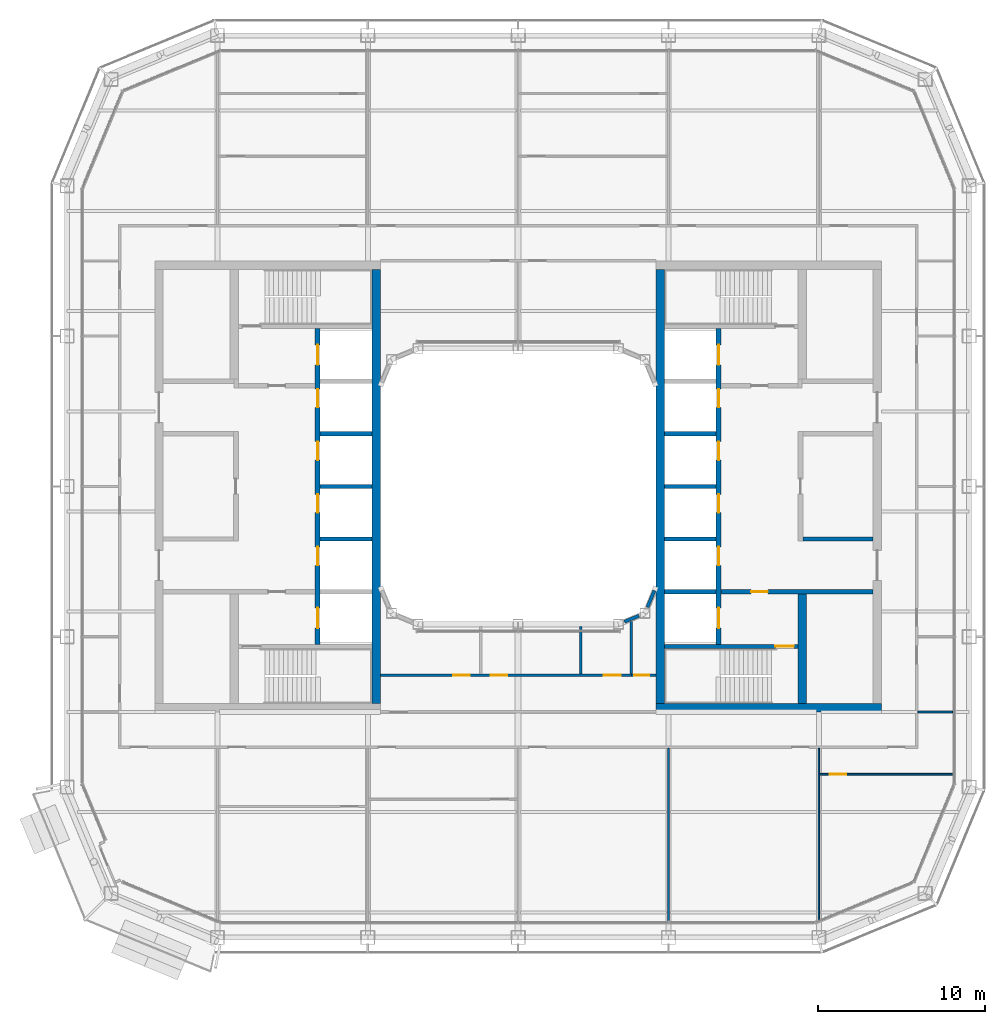
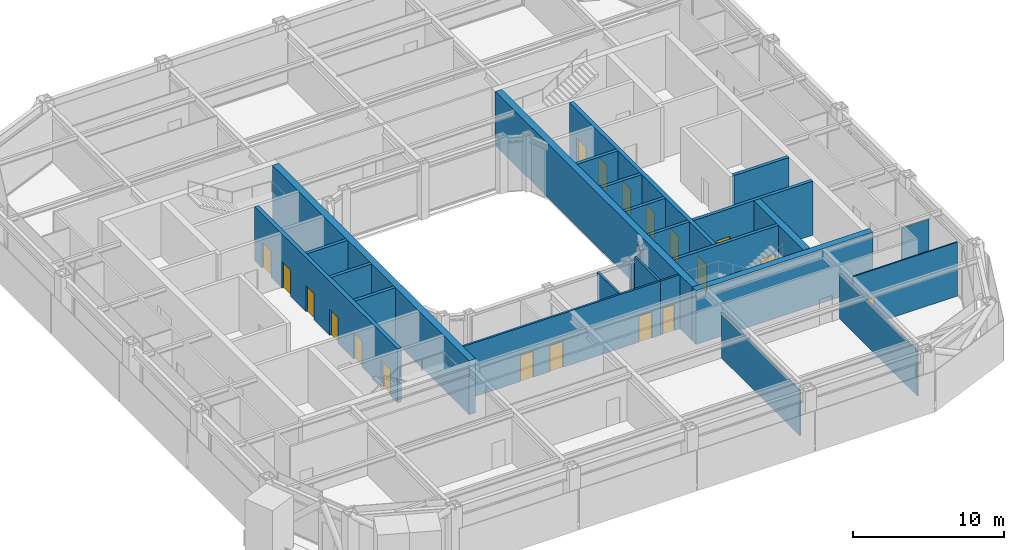
# One storey, part 14 of 23: 26 walls, 19 doors, 19 openings.
"""IFC4 building model written with IfcOpenShell, lengths in metres."""

from ifc_helpers import new_model, si_unit, direction, frame, frame_2d, origin, place, context, subcontext, project, spatial, rectangle, extrude, material, layer, layer_set, type_object, element, fill, save


model = new_model("IFC4")

# Units and contexts
model_context = context("Model", 3, precision=1e-05, world=origin(), true_north=direction((0.0, 1.0)))
body_context = subcontext(model_context, "Body", "Model", "MODEL_VIEW")
ifc_project = project(units=[si_unit("LENGTHUNIT", "METRE"), si_unit("AREAUNIT", "SQUARE_METRE"), si_unit("VOLUMEUNIT", "CUBIC_METRE"), si_unit("PLANEANGLEUNIT", "RADIAN"), si_unit("MASSUNIT", "GRAM", prefix="KILO")], contexts=[model_context])

# Site, building, storey
site_placement = place(None, origin())
site = spatial("IfcSite", under=ifc_project, at=site_placement, CompositionType="ELEMENT")
building_placement = place(site_placement, origin())
building = spatial("IfcBuilding", under=site, at=building_placement, Name="Siwar Civic Tower", CompositionType="ELEMENT")
storey_placement = place(building_placement, frame((0.0, 0.0, 233.199951171875)))
storey = spatial("IfcBuildingStorey", under=building, at=storey_placement, Name="L50", CompositionType="ELEMENT", Elevation=233.199951171875)

# Wall, opening, door
ifc_material_1 = material(Name="Gypsum board on steel studs", Category="steel")
ifc_layer_1 = layer(ifc_material_1, 0.14990234375)
ifc_layer_set_1 = layer_set([ifc_layer_1], Name="Gypsum board on steel studs")
wall_type_1 = type_object("IfcWallType", Name="COMPARTMENT PARTITION 150 EI 60", PredefinedType="PARTITIONING", material=ifc_layer_set_1)
wall_1_placement = place(storey_placement, frame((6.780029296875, -11.300048828125, 0.0), z_axis=(0.0, 0.0, 1.0), x_axis=(1.0, 0.0, 0.0)))
wall_1 = element("IfcWall", 1, at=wall_1_placement, inside=storey, type_object=wall_type_1, Name="L50/wall/P09", PredefinedType="PARTITIONING", context=body_context, shape_type="SweptSolid", body=[
    extrude(rectangle(XDim=1.469970703125, YDim=0.14990234375, at=frame_2d((0.73486328125, 0.0))), origin(), (0.0, 0.0, 1.0), 4.35009765625),
])
opening_1_placement = place(wall_1_placement, frame((0.169921875, 0.0, 0.0)))
opening_1 = element("IfcOpeningElement", 2, at=opening_1_placement, cuts=wall_1, Name="Opening D4", PredefinedType="OPENING", context=body_context, shape_type="SweptSolid", body=[
    extrude(rectangle(XDim=0.89990234375, YDim=2.10009765625, at=frame_2d((0.449951171875, 1.050048828125))), frame((0.0, 0.0849609375, 0.0), z_axis=(0.0, -1.0, 0.0), x_axis=(1.0, 0.0, 0.0)), (0.0, 0.0, 1.0), 0.169921875),
])
ifc_material_2 = material(Name="Timber, painted", Category="wood")
door_type_1 = type_object("IfcDoorType", Name="DOOR 900 X 2100 FD60", OperationType="SINGLE_SWING_LEFT", PredefinedType="DOOR", material=ifc_material_2)
door_1_placement = place(opening_1_placement, origin())
door_1 = element("IfcDoor", 3, at=door_1_placement, inside=storey, type_object=door_type_1, Name="L50-D34", OperationType="SINGLE_SWING_RIGHT", OverallHeight=2.10009765625, OverallWidth=0.89990234375, PredefinedType="DOOR", context=body_context, shape_type="SweptSolid", body=[
    extrude(rectangle(XDim=0.89990234375, YDim=2.10009765625, at=frame_2d((0.449951171875, 1.050048828125))), frame((0.0, 0.02490234375, 0.0), z_axis=(0.0, -1.0, 0.0), x_axis=(1.0, 0.0, 0.0)), (0.0, 0.0, 1.0), 0.050048828125),
])
fill(opening_1, door_1)

# Walls
wall_2_placement = place(storey_placement, frame((6.780029296875, -11.22509765625, 0.0), z_axis=(0.0, 0.0, 1.0), x_axis=(0.0, 1.0, 0.0)))
element("IfcWall", 4, at=wall_2_placement, inside=storey, type_object=wall_type_1, Name="L50/wall/P34", PredefinedType="PARTITIONING", context=body_context, shape_type="SweptSolid", body=[
    extrude(rectangle(XDim=3.13818359375, YDim=0.14990234375, at=frame_2d((1.569091796875, 0.0))), origin(), (0.0, 0.0, 1.0), 4.35009765625),
])
ifc_material_3 = material(Name="Concrete C60/75", Category="concrete")
ifc_layer_2 = layer(ifc_material_3, 0.25)
ifc_layer_set_2 = layer_set([ifc_layer_2], Name="Concrete C60/75")
wall_type_2 = type_object("IfcWallType", Name="CORE-WALL-RC250", PredefinedType="SHEAR", material=ifc_layer_set_2)
for number, where, z_axis, x_axis, name in (
    (5, (-8.75, 0.0, 0.0), (0.0, 0.0, 1.0), (-1.0, 0.0, 0.0), "Core wall W"),
    (6, (-8.75, 3.14990234375, 0.0), (0.0, 0.0, 1.0), (-1.0, 0.0, 0.0), "Core wall W"),
    (7, (-8.75, -3.14990234375, 0.0), (0.0, 0.0, 1.0), (-1.0, 0.0, 0.0), "Core wall W"),
):
    element("IfcWall", number, at=place(storey_placement, frame(where, z_axis=z_axis, x_axis=x_axis)), inside=storey, type_object=wall_type_2, Name=name, PredefinedType="SHEAR", context=body_context, shape_type="SweptSolid", body=[
        extrude(rectangle(XDim=3.10009765625, YDim=0.25, at=frame_2d((1.550048828125, 0.0))), origin(), (0.0, 0.0, 1.0), 4.35009765625),
    ])

# Wall, opening, door
wall_3_placement = place(storey_placement, frame((12.14990234375, -6.300048828125, 0.0), z_axis=(0.0, 0.0, 1.0), x_axis=(1.0, 0.0, 0.0)))
wall_3 = element("IfcWall", 8, at=wall_3_placement, inside=storey, type_object=wall_type_2, Name="Core wall E", PredefinedType="SHEAR", context=body_context, shape_type="SweptSolid", body=[
    extrude(rectangle(XDim=9.10009765625, YDim=0.25, at=frame_2d((4.550048828125, 0.0))), origin(), (0.0, 0.0, 1.0), 4.35009765625),
])
opening_2_placement = place(wall_3_placement, frame((1.800048828125, 0.0, 0.0)))
opening_2 = element("IfcOpeningElement", 9, at=opening_2_placement, cuts=wall_3, Name="Opening L50-CE02", PredefinedType="OPENING", context=body_context, shape_type="SweptSolid", body=[
    extrude(rectangle(XDim=1.0, YDim=2.10009765625, at=frame_2d((0.5, 1.050048828125))), frame((0.0, 0.135009765625, 0.0), z_axis=(0.0, -1.0, 0.0), x_axis=(1.0, 0.0, 0.0)), (0.0, 0.0, 1.0), 0.27001953125),
])
ifc_material_4 = material(Name="Steel door leaf", Category="steel")
door_type_2 = type_object("IfcDoorType", Name="CORE-DOOR-FD30S", OperationType="SINGLE_SWING_LEFT", PredefinedType="DOOR", material=ifc_material_4)
door_2_placement = place(opening_2_placement, origin())
door_2 = element("IfcDoor", 10, at=door_2_placement, inside=storey, type_object=door_type_2, Name="Service lobby door L50-CE02", OperationType="SINGLE_SWING_LEFT", OverallHeight=2.10009765625, OverallWidth=1.0, PredefinedType="DOOR", context=body_context, shape_type="SweptSolid", body=[
    extrude(rectangle(XDim=1.0, YDim=2.10009765625, at=frame_2d((0.5, 1.050048828125))), frame((0.0, 0.02490234375, 0.0), z_axis=(0.0, -1.0, 0.0), x_axis=(1.0, 0.0, 0.0)), (0.0, 0.0, 1.0), 0.050048828125),
])
fill(opening_2, door_2)

# Walls
wall_4_placement = place(storey_placement, frame((17.050048828125, -3.14990234375, 0.0), z_axis=(0.0, 0.0, 1.0), x_axis=(1.0, 0.0, 0.0)))
element("IfcWall", 11, at=wall_4_placement, inside=storey, type_object=wall_type_2, Name="Core wall E", PredefinedType="SHEAR", context=body_context, shape_type="SweptSolid", body=[
    extrude(rectangle(XDim=4.199951171875, YDim=0.25, at=frame_2d((2.10009765625, 0.0))), origin(), (0.0, 0.0, 1.0), 4.35009765625),
])
for number, where, z_axis, x_axis, name in (
    (12, (8.75, 0.0, 0.0), (0.0, 0.0, 1.0), (1.0, 0.0, 0.0), "Core wall E"),
    (13, (8.75, 3.14990234375, 0.0), (0.0, 0.0, 1.0), (1.0, 0.0, 0.0), "Core wall E"),
    (14, (8.75, -3.14990234375, 0.0), (0.0, 0.0, 1.0), (1.0, 0.0, 0.0), "Core wall E"),
    (15, (8.75, -6.300048828125, 0.0), (0.0, 0.0, 1.0), (1.0, 0.0, 0.0), "Core wall E"),
):
    element("IfcWall", number, at=place(storey_placement, frame(where, z_axis=z_axis, x_axis=x_axis)), inside=storey, type_object=wall_type_2, Name=name, PredefinedType="SHEAR", context=body_context, shape_type="SweptSolid", body=[
        extrude(rectangle(XDim=3.10009765625, YDim=0.25, at=frame_2d((1.550048828125, 0.0))), origin(), (0.0, 0.0, 1.0), 4.35009765625),
    ])

# Wall, opening, door
wall_5_placement = place(storey_placement, frame((8.75, -9.574951171875, 0.0), z_axis=(0.0, 0.0, 1.0), x_axis=(1.0, 0.0, 0.0)))
wall_5 = element("IfcWall", 16, at=wall_5_placement, inside=storey, type_object=wall_type_2, Name="Core wall E", PredefinedType="SHEAR", context=body_context, shape_type="SweptSolid", body=[
    extrude(rectangle(XDim=8.0, YDim=0.25, at=frame_2d((4.0, 0.0))), origin(), (0.0, 0.0, 1.0), 4.35009765625),
])
opening_3_placement = place(wall_5_placement, frame((6.64990234375, 0.0, 0.0)))
opening_3 = element("IfcOpeningElement", 17, at=opening_3_placement, cuts=wall_5, Name="Opening L50-CE04", PredefinedType="OPENING", context=body_context, shape_type="SweptSolid", body=[
    extrude(rectangle(XDim=1.10009765625, YDim=2.10009765625, at=frame_2d((0.550048828125, 1.050048828125))), frame((0.0, 0.135009765625, 0.0), z_axis=(0.0, -1.0, 0.0), x_axis=(1.0, 0.0, 0.0)), (0.0, 0.0, 1.0), 0.27001953125),
])
ifc_material_5 = material(Name="Steel door leaf", Category="steel")
door_type_3 = type_object("IfcDoorType", Name="CORE-DOOR-FD60S", OperationType="SINGLE_SWING_LEFT", PredefinedType="DOOR", material=ifc_material_5)
door_3_placement = place(opening_3_placement, origin())
door_3 = element("IfcDoor", 18, at=door_3_placement, inside=storey, type_object=door_type_3, Name="Stair door L50-CE04", OperationType="SINGLE_SWING_RIGHT", OverallHeight=2.10009765625, OverallWidth=1.10009765625, PredefinedType="DOOR", context=body_context, shape_type="SweptSolid", body=[
    extrude(rectangle(XDim=1.10009765625, YDim=2.10009765625, at=frame_2d((0.550048828125, 1.050048828125))), frame((0.0, 0.02490234375, 0.0), z_axis=(0.0, -1.0, 0.0), x_axis=(1.0, 0.0, 0.0)), (0.0, 0.0, 1.0), 0.050048828125),
])
fill(opening_3, door_3)

# Wall, openings, doors
ifc_material_6 = material(Name="Concrete C60/75", Category="concrete")
ifc_layer_3 = layer(ifc_material_6, 0.300048828125)
ifc_layer_set_3 = layer_set([ifc_layer_3], Name="Concrete C60/75")
wall_type_3 = type_object("IfcWallType", Name="CORE-WALL-RC300", PredefinedType="SHEAR", material=ifc_layer_set_3)
wall_6_placement = place(storey_placement, frame((-12.0, -9.449951171875, 0.0), z_axis=(0.0, 0.0, 1.0), x_axis=(0.0, 1.0, 0.0)))
wall_6 = element("IfcWall", 19, at=wall_6_placement, inside=storey, type_object=wall_type_3, Name="Core wall W", PredefinedType="SHEAR", context=body_context, shape_type="SweptSolid", body=[
    extrude(rectangle(XDim=18.89990234375, YDim=0.300048828125, at=frame_2d((9.449951171875, 0.0))), origin(), (0.0, 0.0, 1.0), 4.35009765625),
])
opening_4_placement = place(wall_6_placement, frame((4.72509765625, 0.0, 0.0)))
opening_4 = element("IfcOpeningElement", 20, at=opening_4_placement, cuts=wall_6, Name="Opening L50-CW07", PredefinedType="OPENING", context=body_context, shape_type="SweptSolid", body=[
    extrude(rectangle(XDim=1.10009765625, YDim=2.10009765625, at=frame_2d((0.550048828125, 1.050048828125))), frame((0.0, 0.16015625, 0.0), z_axis=(0.0, -1.0, 0.0), x_axis=(1.0, 0.0, 0.0)), (0.0, 0.0, 1.0), 0.320068359375),
])
opening_5_placement = place(wall_6_placement, frame((7.875, 0.0, 0.0)))
opening_5 = element("IfcOpeningElement", 21, at=opening_5_placement, cuts=wall_6, Name="Opening L50-CW08", PredefinedType="OPENING", context=body_context, shape_type="SweptSolid", body=[
    extrude(rectangle(XDim=1.10009765625, YDim=2.10009765625, at=frame_2d((0.550048828125, 1.050048828125))), frame((0.0, 0.16015625, 0.0), z_axis=(0.0, -1.0, 0.0), x_axis=(1.0, 0.0, 0.0)), (0.0, 0.0, 1.0), 0.320068359375),
])
opening_6_placement = place(wall_6_placement, frame((11.02490234375, 0.0, 0.0)))
opening_6 = element("IfcOpeningElement", 22, at=opening_6_placement, cuts=wall_6, Name="Opening L50-CW09", PredefinedType="OPENING", context=body_context, shape_type="SweptSolid", body=[
    extrude(rectangle(XDim=1.10009765625, YDim=2.10009765625, at=frame_2d((0.550048828125, 1.050048828125))), frame((0.0, 0.16015625, 0.0), z_axis=(0.0, -1.0, 0.0), x_axis=(1.0, 0.0, 0.0)), (0.0, 0.0, 1.0), 0.320068359375),
])
opening_7_placement = place(wall_6_placement, frame((14.175048828125, 0.0, 0.0)))
opening_7 = element("IfcOpeningElement", 23, at=opening_7_placement, cuts=wall_6, Name="Opening L50-CW10", PredefinedType="OPENING", context=body_context, shape_type="SweptSolid", body=[
    extrude(rectangle(XDim=1.10009765625, YDim=2.10009765625, at=frame_2d((0.550048828125, 1.050048828125))), frame((0.0, 0.16015625, 0.0), z_axis=(0.0, -1.0, 0.0), x_axis=(1.0, 0.0, 0.0)), (0.0, 0.0, 1.0), 0.320068359375),
])
opening_8_placement = place(wall_6_placement, frame((16.72509765625, 0.0, 0.0)))
opening_8 = element("IfcOpeningElement", 24, at=opening_8_placement, cuts=wall_6, Name="Opening L50-CW11", PredefinedType="OPENING", context=body_context, shape_type="SweptSolid", body=[
    extrude(rectangle(XDim=1.199951171875, YDim=2.10009765625, at=frame_2d((0.60009765625, 1.050048828125))), frame((0.0, 0.16015625, 0.0), z_axis=(0.0, -1.0, 0.0), x_axis=(1.0, 0.0, 0.0)), (0.0, 0.0, 1.0), 0.320068359375),
])
opening_9_placement = place(wall_6_placement, frame((0.97509765625, 0.0, 0.0)))
opening_9 = element("IfcOpeningElement", 25, at=opening_9_placement, cuts=wall_6, Name="Opening L50-CW12", PredefinedType="OPENING", context=body_context, shape_type="SweptSolid", body=[
    extrude(rectangle(XDim=1.199951171875, YDim=2.10009765625, at=frame_2d((0.60009765625, 1.050048828125))), frame((0.0, 0.16015625, 0.0), z_axis=(0.0, -1.0, 0.0), x_axis=(1.0, 0.0, 0.0)), (0.0, 0.0, 1.0), 0.320068359375),
])
ifc_material_7 = material(Name="Steel door leaf", Category="steel")
door_type_4 = type_object("IfcDoorType", Name="CORE-DOOR-LD", OperationType="DOUBLE_DOOR_SLIDING", PredefinedType="DOOR", material=ifc_material_7)
door_4_placement = place(opening_4_placement, origin())
door_4 = element("IfcDoor", 26, at=door_4_placement, inside=storey, type_object=door_type_4, Name="Landing door HR1 L50-CW07", OperationType="DOUBLE_DOOR_SLIDING", OverallHeight=2.10009765625, OverallWidth=1.10009765625, PredefinedType="DOOR", context=body_context, shape_type="SweptSolid", body=[
    extrude(rectangle(XDim=1.10009765625, YDim=2.10009765625, at=frame_2d((0.550048828125, 1.050048828125))), frame((0.0, 0.02490234375, 0.0), z_axis=(0.0, -1.0, 0.0), x_axis=(1.0, 0.0, 0.0)), (0.0, 0.0, 1.0), 0.050048828125),
])
fill(opening_4, door_4)
door_5_placement = place(opening_5_placement, origin())
door_5 = element("IfcDoor", 27, at=door_5_placement, inside=storey, type_object=door_type_4, Name="Landing door HR2 L50-CW08", OperationType="DOUBLE_DOOR_SLIDING", OverallHeight=2.10009765625, OverallWidth=1.10009765625, PredefinedType="DOOR", context=body_context, shape_type="SweptSolid", body=[
    extrude(rectangle(XDim=1.10009765625, YDim=2.10009765625, at=frame_2d((0.550048828125, 1.050048828125))), frame((0.0, 0.02490234375, 0.0), z_axis=(0.0, -1.0, 0.0), x_axis=(1.0, 0.0, 0.0)), (0.0, 0.0, 1.0), 0.050048828125),
])
fill(opening_5, door_5)
door_6_placement = place(opening_6_placement, origin())
door_6 = element("IfcDoor", 28, at=door_6_placement, inside=storey, type_object=door_type_4, Name="Landing door HR3 L50-CW09", OperationType="DOUBLE_DOOR_SLIDING", OverallHeight=2.10009765625, OverallWidth=1.10009765625, PredefinedType="DOOR", context=body_context, shape_type="SweptSolid", body=[
    extrude(rectangle(XDim=1.10009765625, YDim=2.10009765625, at=frame_2d((0.550048828125, 1.050048828125))), frame((0.0, 0.02490234375, 0.0), z_axis=(0.0, -1.0, 0.0), x_axis=(1.0, 0.0, 0.0)), (0.0, 0.0, 1.0), 0.050048828125),
])
fill(opening_6, door_6)
door_7_placement = place(opening_7_placement, origin())
door_7 = element("IfcDoor", 29, at=door_7_placement, inside=storey, type_object=door_type_4, Name="Landing door HR4 L50-CW10", OperationType="DOUBLE_DOOR_SLIDING", OverallHeight=2.10009765625, OverallWidth=1.10009765625, PredefinedType="DOOR", context=body_context, shape_type="SweptSolid", body=[
    extrude(rectangle(XDim=1.10009765625, YDim=2.10009765625, at=frame_2d((0.550048828125, 1.050048828125))), frame((0.0, 0.02490234375, 0.0), z_axis=(0.0, -1.0, 0.0), x_axis=(1.0, 0.0, 0.0)), (0.0, 0.0, 1.0), 0.050048828125),
])
fill(opening_7, door_7)
ifc_material_8 = material(Name="Steel door leaf", Category="steel")
door_type_5 = type_object("IfcDoorType", Name="CORE-DOOR-LDW", OperationType="DOUBLE_DOOR_SLIDING", PredefinedType="DOOR", material=ifc_material_8)
door_8_placement = place(opening_8_placement, origin())
door_8 = element("IfcDoor", 30, at=door_8_placement, inside=storey, type_object=door_type_5, Name="Landing door FF1 L50-CW11", OperationType="DOUBLE_DOOR_SLIDING", OverallHeight=2.10009765625, OverallWidth=1.199951171875, PredefinedType="DOOR", context=body_context, shape_type="SweptSolid", body=[
    extrude(rectangle(XDim=1.199951171875, YDim=2.10009765625, at=frame_2d((0.60009765625, 1.050048828125))), frame((0.0, 0.02490234375, 0.0), z_axis=(0.0, -1.0, 0.0), x_axis=(1.0, 0.0, 0.0)), (0.0, 0.0, 1.0), 0.050048828125),
])
fill(opening_8, door_8)
door_9_placement = place(opening_9_placement, origin())
door_9 = element("IfcDoor", 31, at=door_9_placement, inside=storey, type_object=door_type_5, Name="Landing door SV1 L50-CW12", OperationType="DOUBLE_DOOR_SLIDING", OverallHeight=2.10009765625, OverallWidth=1.199951171875, PredefinedType="DOOR", context=body_context, shape_type="SweptSolid", body=[
    extrude(rectangle(XDim=1.199951171875, YDim=2.10009765625, at=frame_2d((0.60009765625, 1.050048828125))), frame((0.0, 0.02490234375, 0.0), z_axis=(0.0, -1.0, 0.0), x_axis=(1.0, 0.0, 0.0)), (0.0, 0.0, 1.0), 0.050048828125),
])
fill(opening_9, door_9)

wall_7_placement = place(storey_placement, frame((12.0, -9.449951171875, 0.0), z_axis=(0.0, 0.0, 1.0), x_axis=(0.0, 1.0, 0.0)))
wall_7 = element("IfcWall", 32, at=wall_7_placement, inside=storey, type_object=wall_type_3, Name="Core wall E", PredefinedType="SHEAR", context=body_context, shape_type="SweptSolid", body=[
    extrude(rectangle(XDim=18.89990234375, YDim=0.300048828125, at=frame_2d((9.449951171875, 0.0))), origin(), (0.0, 0.0, 1.0), 4.35009765625),
])
opening_10_placement = place(wall_7_placement, frame((4.72509765625, 0.0, 0.0)))
opening_10 = element("IfcOpeningElement", 33, at=opening_10_placement, cuts=wall_7, Name="Opening L50-CE07", PredefinedType="OPENING", context=body_context, shape_type="SweptSolid", body=[
    extrude(rectangle(XDim=1.10009765625, YDim=2.10009765625, at=frame_2d((0.550048828125, 1.050048828125))), frame((0.0, 0.16015625, 0.0), z_axis=(0.0, -1.0, 0.0), x_axis=(1.0, 0.0, 0.0)), (0.0, 0.0, 1.0), 0.320068359375),
])
opening_11_placement = place(wall_7_placement, frame((7.875, 0.0, 0.0)))
opening_11 = element("IfcOpeningElement", 34, at=opening_11_placement, cuts=wall_7, Name="Opening L50-CE08", PredefinedType="OPENING", context=body_context, shape_type="SweptSolid", body=[
    extrude(rectangle(XDim=1.10009765625, YDim=2.10009765625, at=frame_2d((0.550048828125, 1.050048828125))), frame((0.0, 0.16015625, 0.0), z_axis=(0.0, -1.0, 0.0), x_axis=(1.0, 0.0, 0.0)), (0.0, 0.0, 1.0), 0.320068359375),
])
opening_12_placement = place(wall_7_placement, frame((11.02490234375, 0.0, 0.0)))
opening_12 = element("IfcOpeningElement", 35, at=opening_12_placement, cuts=wall_7, Name="Opening L50-CE09", PredefinedType="OPENING", context=body_context, shape_type="SweptSolid", body=[
    extrude(rectangle(XDim=1.10009765625, YDim=2.10009765625, at=frame_2d((0.550048828125, 1.050048828125))), frame((0.0, 0.16015625, 0.0), z_axis=(0.0, -1.0, 0.0), x_axis=(1.0, 0.0, 0.0)), (0.0, 0.0, 1.0), 0.320068359375),
])
opening_13_placement = place(wall_7_placement, frame((14.175048828125, 0.0, 0.0)))
opening_13 = element("IfcOpeningElement", 36, at=opening_13_placement, cuts=wall_7, Name="Opening L50-CE10", PredefinedType="OPENING", context=body_context, shape_type="SweptSolid", body=[
    extrude(rectangle(XDim=1.10009765625, YDim=2.10009765625, at=frame_2d((0.550048828125, 1.050048828125))), frame((0.0, 0.16015625, 0.0), z_axis=(0.0, -1.0, 0.0), x_axis=(1.0, 0.0, 0.0)), (0.0, 0.0, 1.0), 0.320068359375),
])
opening_14_placement = place(wall_7_placement, frame((16.72509765625, 0.0, 0.0)))
opening_14 = element("IfcOpeningElement", 37, at=opening_14_placement, cuts=wall_7, Name="Opening L50-CE11", PredefinedType="OPENING", context=body_context, shape_type="SweptSolid", body=[
    extrude(rectangle(XDim=1.199951171875, YDim=2.10009765625, at=frame_2d((0.60009765625, 1.050048828125))), frame((0.0, 0.16015625, 0.0), z_axis=(0.0, -1.0, 0.0), x_axis=(1.0, 0.0, 0.0)), (0.0, 0.0, 1.0), 0.320068359375),
])
opening_15_placement = place(wall_7_placement, frame((0.97509765625, 0.0, 0.0)))
opening_15 = element("IfcOpeningElement", 38, at=opening_15_placement, cuts=wall_7, Name="Opening L50-CE12", PredefinedType="OPENING", context=body_context, shape_type="SweptSolid", body=[
    extrude(rectangle(XDim=1.199951171875, YDim=2.10009765625, at=frame_2d((0.60009765625, 1.050048828125))), frame((0.0, 0.16015625, 0.0), z_axis=(0.0, -1.0, 0.0), x_axis=(1.0, 0.0, 0.0)), (0.0, 0.0, 1.0), 0.320068359375),
])
door_10_placement = place(opening_10_placement, origin())
door_10 = element("IfcDoor", 39, at=door_10_placement, inside=storey, type_object=door_type_4, Name="Landing door HR5 L50-CE07", OperationType="DOUBLE_DOOR_SLIDING", OverallHeight=2.10009765625, OverallWidth=1.10009765625, PredefinedType="DOOR", context=body_context, shape_type="SweptSolid", body=[
    extrude(rectangle(XDim=1.10009765625, YDim=2.10009765625, at=frame_2d((0.550048828125, 1.050048828125))), frame((0.0, 0.02490234375, 0.0), z_axis=(0.0, -1.0, 0.0), x_axis=(1.0, 0.0, 0.0)), (0.0, 0.0, 1.0), 0.050048828125),
])
fill(opening_10, door_10)
door_11_placement = place(opening_11_placement, origin())
door_11 = element("IfcDoor", 40, at=door_11_placement, inside=storey, type_object=door_type_4, Name="Landing door HR6 L50-CE08", OperationType="DOUBLE_DOOR_SLIDING", OverallHeight=2.10009765625, OverallWidth=1.10009765625, PredefinedType="DOOR", context=body_context, shape_type="SweptSolid", body=[
    extrude(rectangle(XDim=1.10009765625, YDim=2.10009765625, at=frame_2d((0.550048828125, 1.050048828125))), frame((0.0, 0.02490234375, 0.0), z_axis=(0.0, -1.0, 0.0), x_axis=(1.0, 0.0, 0.0)), (0.0, 0.0, 1.0), 0.050048828125),
])
fill(opening_11, door_11)
door_12_placement = place(opening_12_placement, origin())
door_12 = element("IfcDoor", 41, at=door_12_placement, inside=storey, type_object=door_type_4, Name="Landing door HR7 L50-CE09", OperationType="DOUBLE_DOOR_SLIDING", OverallHeight=2.10009765625, OverallWidth=1.10009765625, PredefinedType="DOOR", context=body_context, shape_type="SweptSolid", body=[
    extrude(rectangle(XDim=1.10009765625, YDim=2.10009765625, at=frame_2d((0.550048828125, 1.050048828125))), frame((0.0, 0.02490234375, 0.0), z_axis=(0.0, -1.0, 0.0), x_axis=(1.0, 0.0, 0.0)), (0.0, 0.0, 1.0), 0.050048828125),
])
fill(opening_12, door_12)
door_13_placement = place(opening_13_placement, origin())
door_13 = element("IfcDoor", 42, at=door_13_placement, inside=storey, type_object=door_type_4, Name="Landing door HR8 L50-CE10", OperationType="DOUBLE_DOOR_SLIDING", OverallHeight=2.10009765625, OverallWidth=1.10009765625, PredefinedType="DOOR", context=body_context, shape_type="SweptSolid", body=[
    extrude(rectangle(XDim=1.10009765625, YDim=2.10009765625, at=frame_2d((0.550048828125, 1.050048828125))), frame((0.0, 0.02490234375, 0.0), z_axis=(0.0, -1.0, 0.0), x_axis=(1.0, 0.0, 0.0)), (0.0, 0.0, 1.0), 0.050048828125),
])
fill(opening_13, door_13)
door_14_placement = place(opening_14_placement, origin())
door_14 = element("IfcDoor", 43, at=door_14_placement, inside=storey, type_object=door_type_5, Name="Landing door FF2 L50-CE11", OperationType="DOUBLE_DOOR_SLIDING", OverallHeight=2.10009765625, OverallWidth=1.199951171875, PredefinedType="DOOR", context=body_context, shape_type="SweptSolid", body=[
    extrude(rectangle(XDim=1.199951171875, YDim=2.10009765625, at=frame_2d((0.60009765625, 1.050048828125))), frame((0.0, 0.02490234375, 0.0), z_axis=(0.0, -1.0, 0.0), x_axis=(1.0, 0.0, 0.0)), (0.0, 0.0, 1.0), 0.050048828125),
])
fill(opening_14, door_14)
door_15_placement = place(opening_15_placement, origin())
door_15 = element("IfcDoor", 44, at=door_15_placement, inside=storey, type_object=door_type_5, Name="Landing door SV2 L50-CE12", OperationType="DOUBLE_DOOR_SLIDING", OverallHeight=2.10009765625, OverallWidth=1.199951171875, PredefinedType="DOOR", context=body_context, shape_type="SweptSolid", body=[
    extrude(rectangle(XDim=1.199951171875, YDim=2.10009765625, at=frame_2d((0.60009765625, 1.050048828125))), frame((0.0, 0.02490234375, 0.0), z_axis=(0.0, -1.0, 0.0), x_axis=(1.0, 0.0, 0.0)), (0.0, 0.0, 1.0), 0.050048828125),
])
fill(opening_15, door_15)

# Walls
ifc_material_9 = material(Name="Concrete C60/75", Category="concrete")
ifc_layer_4 = layer(ifc_material_9, 0.5)
ifc_layer_set_4 = layer_set([ifc_layer_4], Name="Concrete C60/75")
wall_type_4 = type_object("IfcWallType", Name="CORE-WALL-RC500", PredefinedType="SHEAR", material=ifc_layer_set_4)
wall_8_placement = place(storey_placement, frame((17.0, -13.0, 0.0), z_axis=(0.0, 0.0, 1.0), x_axis=(0.0, 1.0, 0.0)))
element("IfcWall", 45, at=wall_8_placement, inside=storey, type_object=wall_type_4, Name="Core wall E", PredefinedType="SHEAR", context=body_context, shape_type="SweptSolid", body=[
    extrude(rectangle(XDim=6.574951171875, YDim=0.5, at=frame_2d((3.28759765625, 0.0))), origin(), (0.0, 0.0, 1.0), 4.35009765625),
])
wall_9_placement = place(storey_placement, frame((8.25, -13.25, 0.0), z_axis=(0.0, 0.0, 1.0), x_axis=(1.0, 0.0, 0.0)))
element("IfcWall", 46, at=wall_9_placement, inside=storey, type_object=wall_type_4, Name="Core wall E", PredefinedType="SHEAR", context=body_context, shape_type="SweptSolid", body=[
    extrude(rectangle(XDim=13.5, YDim=0.5, at=frame_2d((6.75, 0.0))), origin(), (0.0, 0.0, 1.0), 4.35009765625),
])
ifc_material_10 = material(Name="Concrete C60/75", Category="concrete")
ifc_layer_5 = layer(ifc_material_10, 0.5)
ifc_layer_set_5 = layer_set([ifc_layer_5], Name="Concrete C60/75")
wall_type_5 = type_object("IfcWallType", Name="CORE-WALL-RC500-EXT", PredefinedType="SHEAR", material=ifc_layer_set_5)
for number, where, z_axis, x_axis, name in (
    (47, (-8.5, -13.0, 0.0), (0.0, 0.0, 1.0), (0.0, 1.0, 0.0), "Core wall W"),
    (48, (8.5, -13.0, 0.0), (0.0, 0.0, 1.0), (0.0, 1.0, 0.0), "Core wall E"),
):
    element("IfcWall", number, at=place(storey_placement, frame(where, z_axis=z_axis, x_axis=x_axis)), inside=storey, type_object=wall_type_5, Name=name, PredefinedType="SHEAR", context=body_context, shape_type="SweptSolid", body=[
        extrude(rectangle(XDim=26.0, YDim=0.5, at=frame_2d((13.0, 0.0))), origin(), (0.0, 0.0, 1.0), 4.35009765625),
    ])

# Wall, openings, doors
ifc_material_11 = material(Name="Gypsum board on steel studs", Category="steel")
ifc_layer_6 = layer(ifc_material_11, 0.14990234375)
ifc_layer_set_6 = layer_set([ifc_layer_6], Name="Gypsum board on steel studs")
wall_type_6 = type_object("IfcWallType", Name="CORRIDOR PARTITION 150 EI 30", PredefinedType="PARTITIONING", material=ifc_layer_set_6)
wall_10_placement = place(storey_placement, frame((-8.25, -11.300048828125, 0.0), z_axis=(0.0, 0.0, 1.0), x_axis=(1.0, 0.0, 0.0)))
wall_10 = element("IfcWall", 49, at=wall_10_placement, inside=storey, type_object=wall_type_6, Name="L50/wall/P08", PredefinedType="PARTITIONING", context=body_context, shape_type="SweptSolid", body=[
    extrude(rectangle(XDim=15.030029296875, YDim=0.14990234375, at=frame_2d((7.51513671875, 0.0))), origin(), (0.0, 0.0, 1.0), 4.35009765625),
])
opening_16_placement = place(wall_10_placement, frame((4.35009765625, 0.0, 0.0)))
opening_16 = element("IfcOpeningElement", 50, at=opening_16_placement, cuts=wall_10, Name="Opening D3", PredefinedType="OPENING", context=body_context, shape_type="SweptSolid", body=[
    extrude(rectangle(XDim=1.0, YDim=2.10009765625, at=frame_2d((0.5, 1.050048828125))), frame((0.0, 0.0849609375, 0.0), z_axis=(0.0, -1.0, 0.0), x_axis=(1.0, 0.0, 0.0)), (0.0, 0.0, 1.0), 0.169921875),
])
opening_17_placement = place(wall_10_placement, frame((6.60009765625, 0.0, 0.0)))
opening_17 = element("IfcOpeningElement", 51, at=opening_17_placement, cuts=wall_10, Name="Opening D3", PredefinedType="OPENING", context=body_context, shape_type="SweptSolid", body=[
    extrude(rectangle(XDim=1.0, YDim=2.10009765625, at=frame_2d((0.5, 1.050048828125))), frame((0.0, 0.0849609375, 0.0), z_axis=(0.0, -1.0, 0.0), x_axis=(1.0, 0.0, 0.0)), (0.0, 0.0, 1.0), 0.169921875),
])
opening_18_placement = place(wall_10_placement, frame((13.3798828125, 0.0, 0.0)))
opening_18 = element("IfcOpeningElement", 52, at=opening_18_placement, cuts=wall_10, Name="Opening D3", PredefinedType="OPENING", context=body_context, shape_type="SweptSolid", body=[
    extrude(rectangle(XDim=1.0, YDim=2.10009765625, at=frame_2d((0.5, 1.050048828125))), frame((0.0, 0.0849609375, 0.0), z_axis=(0.0, -1.0, 0.0), x_axis=(1.0, 0.0, 0.0)), (0.0, 0.0, 1.0), 0.169921875),
])
ifc_material_12 = material(Name="Timber, painted", Category="wood")
door_type_6 = type_object("IfcDoorType", Name="DOOR 1000 X 2100 WC", OperationType="SINGLE_SWING_LEFT", PredefinedType="DOOR", material=ifc_material_12)
door_16_placement = place(opening_16_placement, origin())
door_16 = element("IfcDoor", 53, at=door_16_placement, inside=storey, type_object=door_type_6, Name="L50-D31", OperationType="SINGLE_SWING_LEFT", OverallHeight=2.10009765625, OverallWidth=1.0, PredefinedType="DOOR", context=body_context, shape_type="SweptSolid", body=[
    extrude(rectangle(XDim=1.0, YDim=2.10009765625, at=frame_2d((0.5, 1.050048828125))), frame((0.0, 0.02490234375, 0.0), z_axis=(0.0, -1.0, 0.0), x_axis=(1.0, 0.0, 0.0)), (0.0, 0.0, 1.0), 0.050048828125),
])
fill(opening_16, door_16)
door_17_placement = place(opening_17_placement, origin())
door_17 = element("IfcDoor", 54, at=door_17_placement, inside=storey, type_object=door_type_6, Name="L50-D32", OperationType="SINGLE_SWING_RIGHT", OverallHeight=2.10009765625, OverallWidth=1.0, PredefinedType="DOOR", context=body_context, shape_type="SweptSolid", body=[
    extrude(rectangle(XDim=1.0, YDim=2.10009765625, at=frame_2d((0.5, 1.050048828125))), frame((0.0, 0.02490234375, 0.0), z_axis=(0.0, -1.0, 0.0), x_axis=(1.0, 0.0, 0.0)), (0.0, 0.0, 1.0), 0.050048828125),
])
fill(opening_17, door_17)
door_18_placement = place(opening_18_placement, origin())
door_18 = element("IfcDoor", 55, at=door_18_placement, inside=storey, type_object=door_type_6, Name="L50-D33", OperationType="SINGLE_SWING_LEFT", OverallHeight=2.10009765625, OverallWidth=1.0, PredefinedType="DOOR", context=body_context, shape_type="SweptSolid", body=[
    extrude(rectangle(XDim=1.0, YDim=2.10009765625, at=frame_2d((0.5, 1.050048828125))), frame((0.0, 0.02490234375, 0.0), z_axis=(0.0, -1.0, 0.0), x_axis=(1.0, 0.0, 0.0)), (0.0, 0.0, 1.0), 0.050048828125),
])
fill(opening_18, door_18)

# Walls
wall_11_placement = place(storey_placement, frame((3.75, -11.22509765625, 0.0), z_axis=(0.0, 0.0, 1.0), x_axis=(0.0, 1.0, 0.0)))
element("IfcWall", 56, at=wall_11_placement, inside=storey, type_object=wall_type_6, Name="L50/wall/P33", PredefinedType="PARTITIONING", context=body_context, shape_type="SweptSolid", body=[
    extrude(rectangle(XDim=2.85498046875, YDim=0.14990234375, at=frame_2d((1.427490234375, 0.0))), origin(), (0.0, 0.0, 1.0), 4.35009765625),
])
ifc_material_13 = material(Name="Aluminium clad insulated panel", Category="aluminium")
ifc_layer_7 = layer(ifc_material_13, 0.199951171875)
ifc_layer_set_7 = layer_set([ifc_layer_7], Name="Aluminium clad insulated panel")
wall_type_7 = type_object("IfcWallType", Name="ENV-WALL-WELL", PredefinedType="STANDARD", material=ifc_layer_set_7)
wall_12_placement = place(storey_placement, frame((6.362060546875, -8.10009765625, 0.0), z_axis=(0.0, 0.0, 1.0), x_axis=(0.923829670615, 0.382803787458, 0.0)))
element("IfcWall", 57, at=wall_12_placement, inside=storey, type_object=wall_type_7, Name="Light well corner wall SE1", PredefinedType="STANDARD", context=body_context, shape_type="SweptSolid", body=[
    extrude(rectangle(XDim=0.938232421875, YDim=0.199951171875, at=frame_2d((0.46923828125, 0.0))), origin(), (0.0, 0.0, 1.0), 3.91796875),
])
wall_13_placement = place(storey_placement, frame((7.740966796875, -7.228759765625, 0.0), z_axis=(0.0, 0.0, 1.0), x_axis=(0.382704496366, 0.923870807235, 0.0)))
element("IfcWall", 58, at=wall_13_placement, inside=storey, type_object=wall_type_7, Name="Light well corner wall SE2", PredefinedType="STANDARD", context=body_context, shape_type="SweptSolid", body=[
    extrude(rectangle(XDim=1.080078125, YDim=0.199951171875, at=frame_2d((0.5400390625, 0.0))), origin(), (0.0, 0.0, 1.0), 3.91796875),
])

# Wall, opening, door
ifc_material_14 = material(Name="Gypsum board on steel studs", Category="steel")
ifc_layer_8 = layer(ifc_material_14, 0.10009765625)
ifc_layer_set_8 = layer_set([ifc_layer_8], Name="Gypsum board on steel studs")
wall_type_8 = type_object("IfcWallType", Name="PARTITION 100 GYPSUM", PredefinedType="PARTITIONING", material=ifc_layer_set_8)
wall_14_placement = place(storey_placement, frame((18.050048828125, -17.22802734375, 0.0), z_axis=(0.0, 0.0, 1.0), x_axis=(1.0, 0.0, 0.0)))
wall_14 = element("IfcWall", 59, at=wall_14_placement, inside=storey, type_object=wall_type_8, Name="L50/wall/P03", PredefinedType="PARTITIONING", context=body_context, shape_type="SweptSolid", body=[
    extrude(rectangle(XDim=7.9599609375, YDim=0.10009765625, at=frame_2d((3.97998046875, 0.0))), origin(), (0.0, 0.0, 1.0), 4.35009765625),
])
opening_19_placement = place(wall_14_placement, frame((0.60009765625, 0.0, 0.0)))
opening_19 = element("IfcOpeningElement", 60, at=opening_19_placement, cuts=wall_14, Name="Opening D2", PredefinedType="OPENING", context=body_context, shape_type="SweptSolid", body=[
    extrude(rectangle(XDim=1.0, YDim=2.10009765625, at=frame_2d((0.5, 1.050048828125))), frame((0.0, 0.06005859375, 0.0), z_axis=(0.0, -1.0, 0.0), x_axis=(1.0, 0.0, 0.0)), (0.0, 0.0, 1.0), 0.1201171875),
])
ifc_material_15 = material(Name="Timber, painted", Category="wood")
door_type_7 = type_object("IfcDoorType", Name="DOOR 1000 X 2100", OperationType="SINGLE_SWING_LEFT", PredefinedType="DOOR", material=ifc_material_15)
door_19_placement = place(opening_19_placement, origin())
door_19 = element("IfcDoor", 61, at=door_19_placement, inside=storey, type_object=door_type_7, Name="L50-D19", OperationType="SINGLE_SWING_LEFT", OverallHeight=2.10009765625, OverallWidth=1.0, PredefinedType="DOOR", context=body_context, shape_type="SweptSolid", body=[
    extrude(rectangle(XDim=1.0, YDim=2.10009765625, at=frame_2d((0.5, 1.050048828125))), frame((0.0, 0.02490234375, 0.0), z_axis=(0.0, -1.0, 0.0), x_axis=(1.0, 0.0, 0.0)), (0.0, 0.0, 1.0), 0.050048828125),
])
fill(opening_19, door_19)

# Walls
wall_15_placement = place(storey_placement, frame((23.925048828125, -13.5, 0.0), z_axis=(0.0, 0.0, 1.0), x_axis=(1.0, 0.0, 0.0)))
element("IfcWall", 62, at=wall_15_placement, inside=storey, type_object=wall_type_8, Name="L50/wall/P06", PredefinedType="PARTITIONING", context=body_context, shape_type="SweptSolid", body=[
    extrude(rectangle(XDim=2.0849609375, YDim=0.10009765625, at=frame_2d((1.04248046875, 0.0))), origin(), (0.0, 0.0, 1.0), 3.949951171875),
])
wall_16_placement = place(storey_placement, frame((9.0, -26.010009765625, 0.0), z_axis=(0.0, 0.0, 1.0), x_axis=(0.0, 1.0, 0.0)))
element("IfcWall", 63, at=wall_16_placement, inside=storey, type_object=wall_type_8, Name="L50/wall/P35", PredefinedType="PARTITIONING", context=body_context, shape_type="SweptSolid", body=[
    extrude(rectangle(XDim=10.3349609375, YDim=0.10009765625, at=frame_2d((5.16748046875, 0.0))), origin(), (0.0, 0.0, 1.0), 3.650146484375),
])
wall_17_placement = place(storey_placement, frame((18.0, -25.927978515625, 0.0), z_axis=(0.0, 0.0, 1.0), x_axis=(0.0, 1.0, 0.0)))
element("IfcWall", 64, at=wall_17_placement, inside=storey, type_object=wall_type_8, Name="L50/wall/P37", PredefinedType="PARTITIONING", context=body_context, shape_type="SweptSolid", body=[
    extrude(rectangle(XDim=10.2529296875, YDim=0.10009765625, at=frame_2d((5.12646484375, 0.0))), origin(), (0.0, 0.0, 1.0), 3.650146484375),
])

save(model, "model.ifc")
